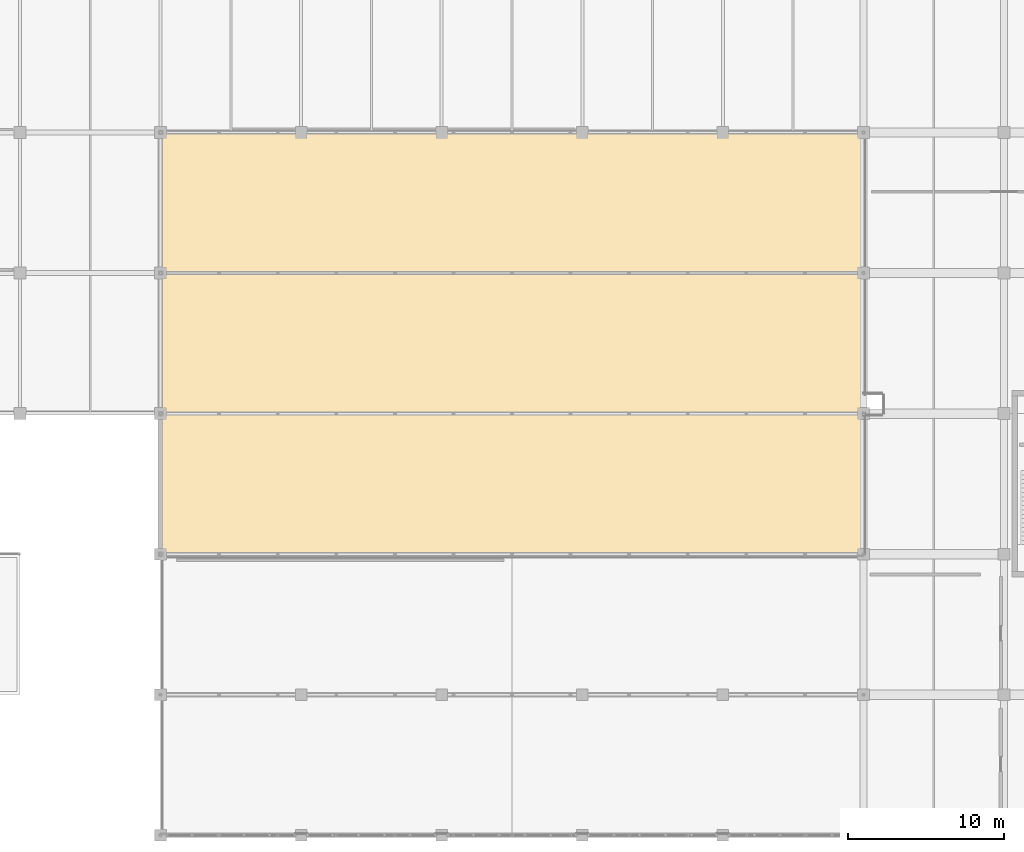
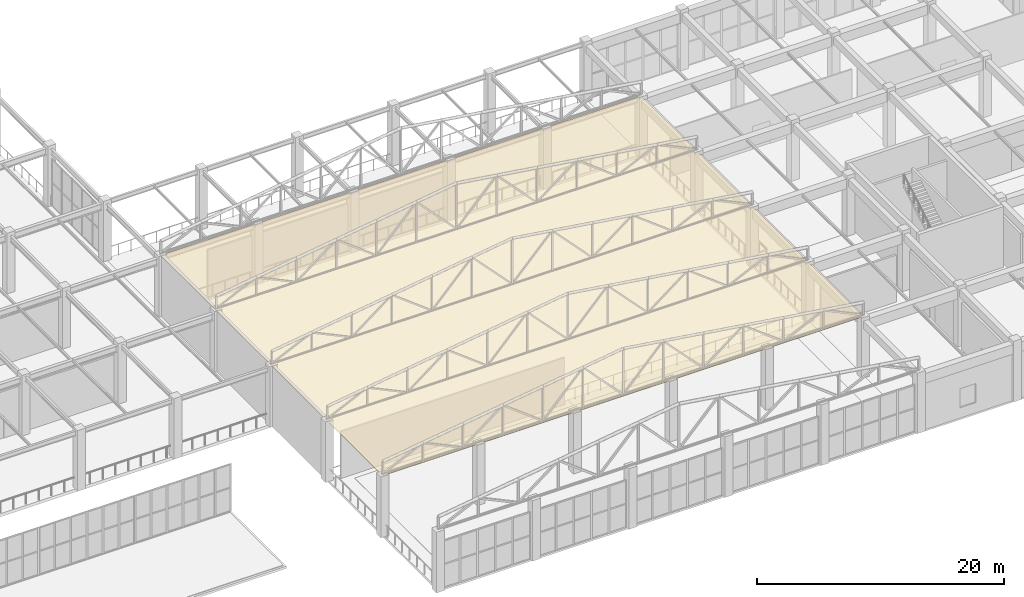
# One storey, part 213 of 223: 1 covering.
"""IFC4 building model written with IfcOpenShell, lengths in metres."""

from ifc_helpers import new_model, si_unit, direction, frame, origin, place, context, subcontext, project, spatial, polyline, outline, extrude, material, layer, layer_set, type_object, element, save


model = new_model("IFC4")

# Units and contexts
model_context = context("Model", 3, precision=1e-05, world=origin(), true_north=direction((0.0, 1.0)))
body_context = subcontext(model_context, "Body", "Model", "MODEL_VIEW")
ifc_project = project(units=[si_unit("LENGTHUNIT", "METRE"), si_unit("AREAUNIT", "SQUARE_METRE"), si_unit("VOLUMEUNIT", "CUBIC_METRE"), si_unit("PLANEANGLEUNIT", "RADIAN"), si_unit("MASSUNIT", "GRAM", prefix="KILO")], contexts=[model_context])

# Site, building, storey
site_placement = place(None, origin())
site = spatial("IfcSite", under=ifc_project, at=site_placement, CompositionType="ELEMENT")
building_placement = place(site_placement, origin())
building = spatial("IfcBuilding", under=site, at=building_placement, Name="Dornveld Trade and Exhibition Forum", CompositionType="ELEMENT")
storey_placement = place(building_placement, frame((0.0, 0.0, 6.0)))
storey = spatial("IfcBuildingStorey", under=building, at=storey_placement, Name="L01", CompositionType="ELEMENT", Elevation=6.0)

# Covering
ifc_material = material(Name="Suspended timber-slat acoustic ceiling", Category="wood")
ifc_layer = layer(ifc_material, 0.034912109375)
ifc_layer_set = layer_set([ifc_layer], Name="Suspended timber-slat acoustic ceiling")
covering_type = type_object("IfcCoveringType", Name="COV-CLG-ACOUST", PredefinedType="CEILING", material=ifc_layer_set)
covering_placement = place(storey_placement, frame((0.0, 0.0, 5.75)))
element("IfcCovering", 1, at=covering_placement, inside=storey, type_object=covering_type, Name="L01 acoustic timber-slat ceiling 1", PredefinedType="CEILING", context=body_context, shape_type="SweptSolid", body=[
    extrude(outline(polyline([(153.0, 9.0), (198.0, 9.0), (198.0, 45.0), (153.0, 45.0), (153.0, 9.0)])), origin(), (0.0, 0.0, 1.0), 0.034912109375),
])

save(model, "model.ifc")
